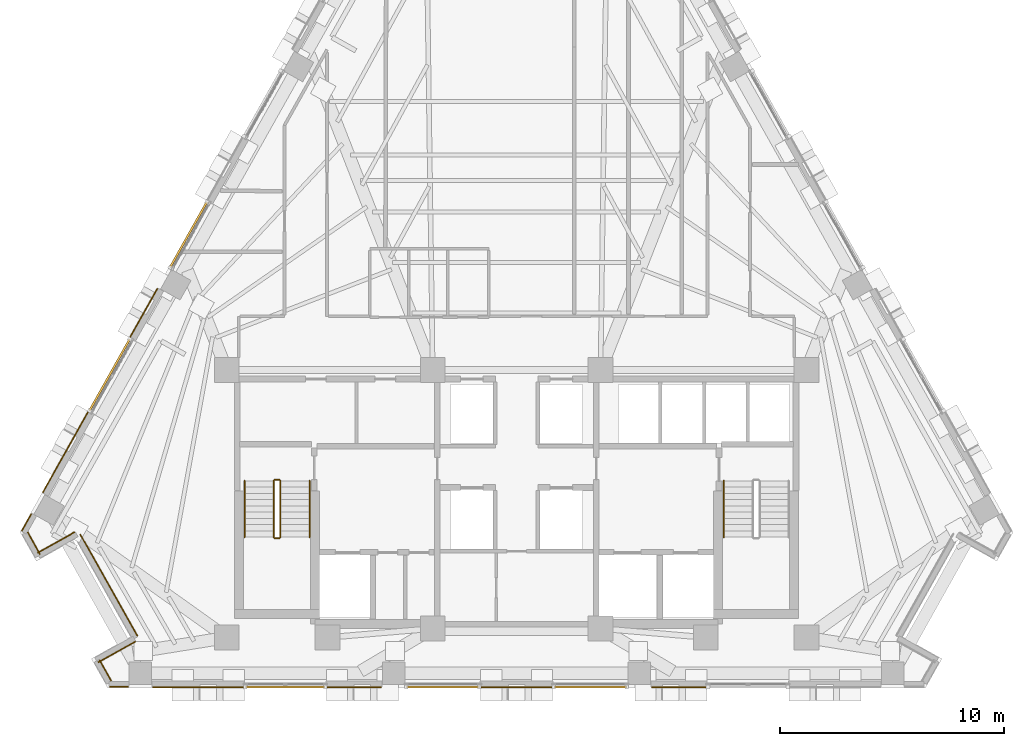
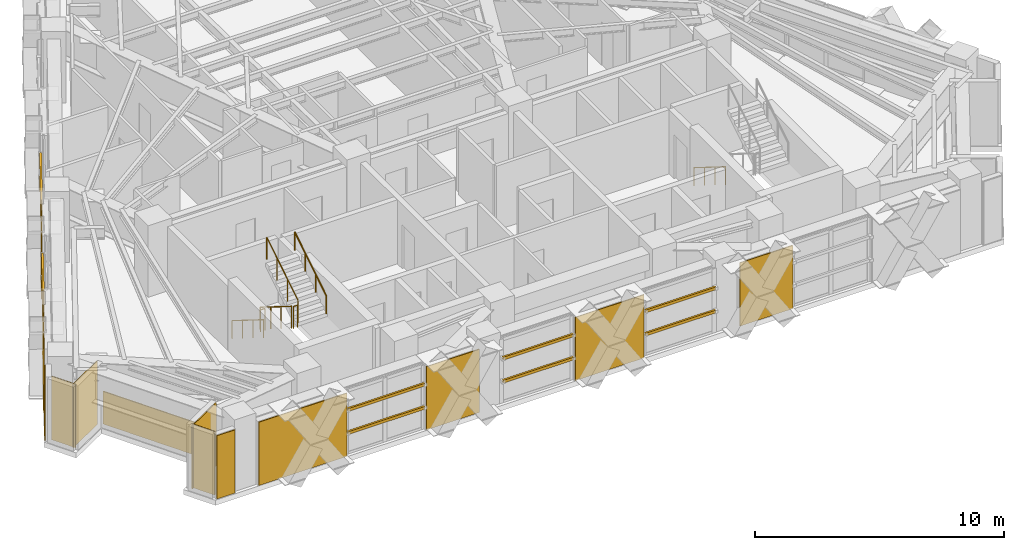
# One storey, part 10 of 13: 13 coverings, 10 shading devices, 7 railings.
"""IFC4 building model written with IfcOpenShell, lengths in metres."""

from ifc_helpers import new_model, si_unit, direction, frame, origin, origin_2d, place, context, subcontext, project, spatial, polyline, rectangle, circle, outline, extrude, material, layer, layer_set, material_profile, profile_set, type_object, element, save


model = new_model("IFC4")

# Units and contexts
model_context = context("Model", 3, precision=1e-05, world=origin(), true_north=direction((0.0, 1.0)))
body_context = subcontext(model_context, "Body", "Model", "MODEL_VIEW")
ifc_project = project(units=[si_unit("LENGTHUNIT", "METRE"), si_unit("AREAUNIT", "SQUARE_METRE"), si_unit("VOLUMEUNIT", "CUBIC_METRE"), si_unit("PLANEANGLEUNIT", "RADIAN"), si_unit("MASSUNIT", "GRAM", prefix="KILO")], contexts=[model_context])

# Site, building, storey
site_placement = place(None, origin())
site = spatial("IfcSite", under=ifc_project, at=site_placement, CompositionType="ELEMENT")
building_placement = place(site_placement, origin())
building = spatial("IfcBuilding", under=site, at=building_placement, Name="Quenlor Broadcast Tower", CompositionType="ELEMENT")
storey_placement = place(building_placement, frame((0.0, 0.0, 175.5)))
storey = spatial("IfcBuildingStorey", under=building, at=storey_placement, Name="L48", CompositionType="ELEMENT", Elevation=175.5)

# Shading devices
ifc_material_1 = material(Name="Architectural Terracotta Ceramic", Category="masonry")
ifc_material_profile = material_profile(ifc_material_1, rectangle(XDim=0.090087890625, YDim=0.139892578125, at=origin_2d()))
ifc_profile_set = profile_set([ifc_material_profile], Name="Architectural Terracotta Ceramic BAG90x140")
shading_device_type = type_object("IfcShadingDeviceType", Name="Copper Terracotta Baguette Solar Screen 140", PredefinedType="USERDEFINED", material=ifc_profile_set)
for number, where, z_axis, x_axis, name in (
    (1, (-8.550048828125, -18.952880859375, 1.13037109375), (-1.0, 0.0, 0.0), (0.0, -1.0, 0.0), "L48 Terracotta Baguette Screen 1"),
    (2, (-8.550048828125, -18.952880859375, 2.2607421875), (-1.0, 0.0, 0.0), (0.0, -1.0, 0.0), "L48 Terracotta Baguette Screen 2"),
):
    element("IfcShadingDevice", number, at=place(storey_placement, frame(where, z_axis=z_axis, x_axis=x_axis)), inside=storey, type_object=shading_device_type, Name=name, ObjectType="BAGUETTE", PredefinedType="USERDEFINED", context=body_context, shape_type="SweptSolid", body=[
        extrude(rectangle(XDim=0.090087890625, YDim=0.139892578125, at=origin_2d()), origin(), (0.0, 0.0, 1.0), 3.56396484375),
    ])
for number, where, z_axis, x_axis, name in (
    (3, (4.926025390625, -18.952880859375, 1.13037109375), (-1.0, 0.0, 0.0), (0.0, -1.0, 0.0), "L48 Terracotta Baguette Screen 1"),
    (4, (4.926025390625, -18.952880859375, 2.2607421875), (-1.0, 0.0, 0.0), (0.0, -1.0, 0.0), "L48 Terracotta Baguette Screen 2"),
    (5, (-1.662109375, -18.952880859375, 1.13037109375), (-1.0, 0.0, 0.0), (0.0, -1.0, 0.0), "L48 Terracotta Baguette Screen 1"),
    (6, (-1.662109375, -18.952880859375, 2.2607421875), (-1.0, 0.0, 0.0), (0.0, -1.0, 0.0), "L48 Terracotta Baguette Screen 2"),
):
    element("IfcShadingDevice", number, at=place(storey_placement, frame(where, z_axis=z_axis, x_axis=x_axis)), inside=storey, type_object=shading_device_type, Name=name, ObjectType="BAGUETTE", PredefinedType="USERDEFINED", context=body_context, shape_type="SweptSolid", body=[
        extrude(rectangle(XDim=0.090087890625, YDim=0.139892578125, at=origin_2d()), origin(), (0.0, 0.0, 1.0), 3.263916015625),
    ])
for number, where, z_axis, x_axis, name in (
    (7, (-19.079345703125, -6.61474609375, 1.13037109375), (0.490258076222, 0.871577316535, 0.0), (-0.871577316535, 0.490258076222, 0.0), "L48 Terracotta Baguette Screen 1"),
    (8, (-19.079345703125, -6.61474609375, 2.2607421875), (0.490258076222, 0.871577316535, 0.0), (-0.871577316535, 0.490258076222, 0.0), "L48 Terracotta Baguette Screen 2"),
):
    element("IfcShadingDevice", number, at=place(storey_placement, frame(where, z_axis=z_axis, x_axis=x_axis)), inside=storey, type_object=shading_device_type, Name=name, ObjectType="BAGUETTE", PredefinedType="USERDEFINED", context=body_context, shape_type="SweptSolid", body=[
        extrude(rectangle(XDim=0.090087890625, YDim=0.139892578125, at=origin_2d()), origin(), (0.0, 0.0, 1.0), 3.6640625),
    ])
for number, where, z_axis, x_axis, name in (
    (9, (-15.4775390625, -0.211181640625, 1.13037109375), (0.490288918116, 0.871559967399, 0.0), (-0.871559967399, 0.490288918116, 0.0), "L48 Terracotta Baguette Screen 1"),
    (10, (-15.4775390625, -0.211181640625, 2.2607421875), (0.490288918116, 0.871559967399, 0.0), (-0.871559967399, 0.490288918116, 0.0), "L48 Terracotta Baguette Screen 2"),
):
    element("IfcShadingDevice", number, at=place(storey_placement, frame(where, z_axis=z_axis, x_axis=x_axis)), inside=storey, type_object=shading_device_type, Name=name, ObjectType="BAGUETTE", PredefinedType="USERDEFINED", context=body_context, shape_type="SweptSolid", body=[
        extrude(rectangle(XDim=0.090087890625, YDim=0.139892578125, at=origin_2d()), origin(), (0.0, 0.0, 1.0), 3.350341796875),
    ])

# Coverings
ifc_material_2 = material(Name="Architectural Terracotta Ceramic", Category="masonry")
ifc_layer = layer(ifc_material_2, 0.044921875)
ifc_layer_set = layer_set([ifc_layer], Name="Fluted Terracotta Rainscreen Cladding Panel")
covering_type = type_object("IfcCoveringType", Name="Fluted Terracotta Rainscreen Cladding Panel", PredefinedType="CLADDING", material=ifc_layer_set)
covering_1_placement = place(storey_placement, frame((0.0, 0.0, 0.02001953125)))
element("IfcCovering", 11, at=covering_1_placement, inside=storey, type_object=covering_type, Name="L48 Terracotta Rainscreen Cladding L48-SHD-SS1", PredefinedType="CLADDING", context=body_context, shape_type="SweptSolid", body=[
    extrude(outline(polyline([(-17.343505859375, -18.93701171875), (-18.179931640625, -18.93701171875), (-18.179931640625, -18.98193359375), (-17.343505859375, -18.98193359375), (-17.343505859375, -18.93701171875)])), origin(), (0.0, 0.0, 1.0), 3.10009765625),
])
covering_2_placement = place(storey_placement, frame((0.0, 0.0, 0.02001953125)))
element("IfcCovering", 12, at=covering_2_placement, inside=storey, type_object=covering_type, Name="L48 Terracotta Rainscreen Cladding L48-SA-SP2", PredefinedType="CLADDING", context=body_context, shape_type="SweptSolid", body=[
    extrude(outline(polyline([(8.485107421875, -18.95703125), (6.035888671875, -18.95703125), (6.035888671875, -19.001953125), (8.485107421875, -19.001953125), (8.485107421875, -18.95703125)])), origin(), (0.0, 0.0, 1.0), 3.10009765625),
])
covering_3_placement = place(storey_placement, frame((0.0, 0.0, 0.02001953125)))
element("IfcCovering", 13, at=covering_3_placement, inside=storey, type_object=covering_type, Name="L48 Terracotta Rainscreen Cladding L48-SC-SP1", PredefinedType="CLADDING", context=body_context, shape_type="SweptSolid", body=[
    extrude(outline(polyline([(-6.035888671875, -18.95703125), (-8.485107421875, -18.95703125), (-8.485107421875, -19.001953125), (-6.035888671875, -19.001953125), (-6.035888671875, -18.95703125)])), origin(), (0.0, 0.0, 1.0), 3.10009765625),
])
covering_4_placement = place(storey_placement, frame((0.0, 0.0, 0.02001953125)))
element("IfcCovering", 14, at=covering_4_placement, inside=storey, type_object=covering_type, Name="L48 Terracotta Rainscreen Cladding L48-SC-SP2", PredefinedType="CLADDING", context=body_context, shape_type="SweptSolid", body=[
    extrude(outline(polyline([(-12.178955078125, -18.95703125), (-16.25341796875, -18.95703125), (-16.25341796875, -19.001953125), (-12.178955078125, -19.001953125), (-12.178955078125, -18.95703125)])), origin(), (0.0, 0.0, 1.0), 3.10009765625),
])
covering_5_placement = place(storey_placement, frame((0.0, 0.0, 0.02001953125)))
element("IfcCovering", 15, at=covering_5_placement, inside=storey, type_object=covering_type, Name="L48 Terracotta Rainscreen Cladding L48-S-SP1", PredefinedType="CLADDING", context=body_context, shape_type="SweptSolid", body=[
    extrude(outline(polyline([(1.596923828125, -18.95703125), (-1.596923828125, -18.95703125), (-1.596923828125, -19.001953125), (1.596923828125, -19.001953125), (1.596923828125, -18.95703125)])), origin(), (0.0, 0.0, 1.0), 3.10009765625),
])
covering_6_placement = place(storey_placement, frame((0.0, 0.0, 0.02001953125)))
element("IfcCovering", 16, at=covering_6_placement, inside=storey, type_object=covering_type, Name="L48 Terracotta Rainscreen Cladding L48-SHD-NWS0", PredefinedType="CLADDING", context=body_context, shape_type="SweptSolid", body=[
    extrude(outline(polyline([(-22.0859375, -11.992431640625), (-21.66162109375, -11.23779296875), (-21.70068359375, -11.2158203125), (-22.125244140625, -11.970458984375), (-22.0859375, -11.992431640625)])), origin(), (0.0, 0.0, 1.0), 3.10009765625),
])
covering_7_placement = place(storey_placement, frame((0.0, 0.0, 0.02001953125)))
element("IfcCovering", 17, at=covering_7_placement, inside=storey, type_object=covering_type, Name="L48 Terracotta Rainscreen Cladding L48-NWA-SP1", PredefinedType="CLADDING", context=body_context, shape_type="SweptSolid", body=[
    extrude(outline(polyline([(-21.14453125, -10.278076171875), (-19.11474609375, -6.66943359375), (-19.154052734375, -6.6474609375), (-21.183837890625, -10.256103515625), (-21.14453125, -10.278076171875)])), origin(), (0.0, 0.0, 1.0), 3.10009765625),
])
covering_8_placement = place(storey_placement, frame((0.0, 0.0, 0.02001953125)))
element("IfcCovering", 18, at=covering_8_placement, inside=storey, type_object=covering_type, Name="L48 Terracotta Rainscreen Cladding L48-NWA-SP2", PredefinedType="CLADDING", context=body_context, shape_type="SweptSolid", body=[
    extrude(outline(polyline([(-17.254638671875, -3.362548828125), (-16.025146484375, -1.1767578125), (-16.064453125, -1.15478515625), (-17.2939453125, -3.340576171875), (-17.254638671875, -3.362548828125)])), origin(), (0.0, 0.0, 1.0), 3.10009765625),
])
covering_9_placement = place(storey_placement, frame((0.0, 0.0, 0.02001953125)))
element("IfcCovering", 19, at=covering_9_placement, inside=storey, type_object=covering_type, Name="L48 Terracotta Rainscreen Cladding L48-CNR-12", PredefinedType="CLADDING", context=body_context, shape_type="SweptSolid", body=[
    extrude(outline(polyline([(-21.864501953125, -12.0546875), (-21.309326171875, -13.0419921875), (-21.27001953125, -13.02001953125), (-21.825439453125, -12.03271484375), (-21.864501953125, -12.0546875)])), origin(), (0.0, 0.0, 1.0), 3.10009765625),
])
covering_10_placement = place(storey_placement, frame((0.0, 0.0, 0.02001953125)))
element("IfcCovering", 20, at=covering_10_placement, inside=storey, type_object=covering_type, Name="L48 Terracotta Rainscreen Cladding L48-CNR-13", PredefinedType="CLADDING", context=body_context, shape_type="SweptSolid", body=[
    extrude(outline(polyline([(-21.385986328125, -12.9912109375), (-19.72998046875, -12.059814453125), (-19.752197265625, -12.0205078125), (-21.408203125, -12.9521484375), (-21.385986328125, -12.9912109375)])), origin(), (0.0, 0.0, 1.0), 3.10009765625),
])
covering_11_placement = place(storey_placement, frame((0.0, 0.0, 0.02001953125)))
element("IfcCovering", 21, at=covering_11_placement, inside=storey, type_object=covering_type, Name="L48 Terracotta Rainscreen Cladding L48-CNR-14", PredefinedType="CLADDING", context=body_context, shape_type="SweptSolid", body=[
    extrude(outline(polyline([(-19.51708984375, -12.148681640625), (-16.9580078125, -16.6982421875), (-16.918701171875, -16.67626953125), (-19.477783203125, -12.126708984375), (-19.51708984375, -12.148681640625)])), origin(), (0.0, 0.0, 1.0), 1.60009765625),
])
covering_12_placement = place(storey_placement, frame((0.0, 0.0, 0.02001953125)))
element("IfcCovering", 22, at=covering_12_placement, inside=storey, type_object=covering_type, Name="L48 Terracotta Rainscreen Cladding L48-CNR-15", PredefinedType="CLADDING", context=body_context, shape_type="SweptSolid", body=[
    extrude(outline(polyline([(-17.046875, -16.911376953125), (-18.702880859375, -17.8427734375), (-18.680908203125, -17.882080078125), (-17.02490234375, -16.950439453125), (-17.046875, -16.911376953125)])), origin(), (0.0, 0.0, 1.0), 3.10009765625),
])
covering_13_placement = place(storey_placement, frame((0.0, 0.0, 0.02001953125)))
element("IfcCovering", 23, at=covering_13_placement, inside=storey, type_object=covering_type, Name="L48 Terracotta Rainscreen Cladding L48-CNR-16", PredefinedType="CLADDING", context=body_context, shape_type="SweptSolid", body=[
    extrude(outline(polyline([(-18.652099609375, -17.76611328125), (-18.127685546875, -18.697998046875), (-18.088623046875, -18.67578125), (-18.61279296875, -17.743896484375), (-18.652099609375, -17.76611328125)])), origin(), (0.0, 0.0, 1.0), 3.10009765625),
])

# Railings
ifc_material_3 = material(Name="Anodised Aluminium", Category="aluminium")
railing_type_1 = type_object("IfcRailingType", Name="Stainless Aluminium Wall Handrail 900", PredefinedType="HANDRAIL", material=ifc_material_3)
railing_1_placement = place(storey_placement, frame((-12.14990234375, -9.75, 0.175048828125)))
element("IfcRailing", 24, at=railing_1_placement, inside=storey, type_object=railing_type_1, Name="L48 ST-1 stair handrail 1", PredefinedType="HANDRAIL", context=body_context, shape_type="SweptSolid", body=[
    extrude(circle(Radius=0.02392578125, at=origin_2d()), frame((0.0, 0.0, 0.8759765625), z_axis=(0.0, -0.848007534815, 0.529984170421), x_axis=(1.0, 0.0, 0.0)), (0.0, 0.0, 1.0), 2.9716796875),
    extrude(circle(Radius=0.02099609375, at=origin_2d()), origin(), (0.0, 0.0, 1.0), 0.851806640625),
    extrude(circle(Radius=0.02099609375, at=origin_2d()), frame((0.0, -0.840087890625, 0.52490234375)), (0.0, 0.0, 1.0), 0.851806640625),
    extrude(circle(Radius=0.02099609375, at=origin_2d()), frame((0.0, -1.679931640625, 1.050048828125)), (0.0, 0.0, 1.0), 0.851806640625),
    extrude(circle(Radius=0.02099609375, at=origin_2d()), frame((0.0, -2.52001953125, 1.574951171875)), (0.0, 0.0, 1.0), 0.851806640625),
])
railing_2_placement = place(storey_placement, frame((-9.25, -12.27001953125, 1.925048828125)))
element("IfcRailing", 25, at=railing_2_placement, inside=storey, type_object=railing_type_1, Name="L48 ST-1 stair handrail 2", PredefinedType="HANDRAIL", context=body_context, shape_type="SweptSolid", body=[
    extrude(circle(Radius=0.02392578125, at=origin_2d()), frame((0.0, 0.0, 0.8759765625), z_axis=(0.0, 0.848007534815, 0.529984170421), x_axis=(-1.0, 0.0, 0.0)), (0.0, 0.0, 1.0), 2.9716796875),
    extrude(circle(Radius=0.02099609375, at=origin_2d()), origin(), (0.0, 0.0, 1.0), 0.851806640625),
    extrude(circle(Radius=0.02099609375, at=origin_2d()), frame((0.0, 0.840087890625, 0.52490234375)), (0.0, 0.0, 1.0), 0.851806640625),
    extrude(circle(Radius=0.02099609375, at=origin_2d()), frame((0.0, 1.679931640625, 1.050048828125)), (0.0, 0.0, 1.0), 0.851806640625),
    extrude(circle(Radius=0.02099609375, at=origin_2d()), frame((0.0, 2.52001953125, 1.574951171875)), (0.0, 0.0, 1.0), 0.851806640625),
])
railing_3_placement = place(storey_placement, frame((9.25, -9.75, 0.175048828125)))
element("IfcRailing", 26, at=railing_3_placement, inside=storey, type_object=railing_type_1, Name="L48 ST-2 stair handrail 1", PredefinedType="HANDRAIL", context=body_context, shape_type="SweptSolid", body=[
    extrude(circle(Radius=0.02392578125, at=origin_2d()), frame((0.0, 0.0, 0.8759765625), z_axis=(0.0, -0.848007534815, 0.529984170421), x_axis=(1.0, 0.0, 0.0)), (0.0, 0.0, 1.0), 2.9716796875),
    extrude(circle(Radius=0.02099609375, at=origin_2d()), origin(), (0.0, 0.0, 1.0), 0.851806640625),
    extrude(circle(Radius=0.02099609375, at=origin_2d()), frame((0.0, -0.840087890625, 0.52490234375)), (0.0, 0.0, 1.0), 0.851806640625),
    extrude(circle(Radius=0.02099609375, at=origin_2d()), frame((0.0, -1.679931640625, 1.050048828125)), (0.0, 0.0, 1.0), 0.851806640625),
    extrude(circle(Radius=0.02099609375, at=origin_2d()), frame((0.0, -2.52001953125, 1.574951171875)), (0.0, 0.0, 1.0), 0.851806640625),
])
ifc_material_4 = material(Name="Steel S355", Category="steel")
railing_type_2 = type_object("IfcRailingType", Name="Tubular Steel S355 Stair Guardrail 1100", PredefinedType="BALUSTRADE", material=ifc_material_4)
railing_4_placement = place(storey_placement, frame((-10.85009765625, -9.75, 0.175048828125)))
element("IfcRailing", 27, at=railing_4_placement, inside=storey, type_object=railing_type_2, Name="L48 ST-1 stair guard 1", PredefinedType="BALUSTRADE", context=body_context, shape_type="SweptSolid", body=[
    extrude(circle(Radius=0.02392578125, at=origin_2d()), frame((0.0, 0.0, 1.076171875), z_axis=(0.0, -0.848007534815, 0.529984170421), x_axis=(1.0, 0.0, 0.0)), (0.0, 0.0, 1.0), 2.9716796875),
    extrude(circle(Radius=0.02099609375, at=origin_2d()), origin(), (0.0, 0.0, 1.0), 1.052001953125),
    extrude(circle(Radius=0.02099609375, at=origin_2d()), frame((0.0, -0.840087890625, 0.52490234375)), (0.0, 0.0, 1.0), 1.052001953125),
    extrude(circle(Radius=0.02099609375, at=origin_2d()), frame((0.0, -1.679931640625, 1.050048828125)), (0.0, 0.0, 1.0), 1.052001953125),
    extrude(circle(Radius=0.02099609375, at=origin_2d()), frame((0.0, -2.52001953125, 1.574951171875)), (0.0, 0.0, 1.0), 1.052001953125),
])
railing_5_placement = place(storey_placement, frame((-10.800048828125, -12.320068359375, 1.75)))
element("IfcRailing", 28, at=railing_5_placement, inside=storey, type_object=railing_type_2, Name="L48 ST-1 stair guard 2", PredefinedType="BALUSTRADE", context=body_context, shape_type="SweptSolid", body=[
    extrude(circle(Radius=0.02392578125, at=origin_2d()), frame((0.0, 0.0, 1.076171875), z_axis=(1.0, 0.0, 0.0), x_axis=(0.0, 1.0, 0.0)), (0.0, 0.0, 1.0), 0.199951171875),
    extrude(circle(Radius=0.02099609375, at=origin_2d()), origin(), (0.0, 0.0, 1.0), 1.052001953125),
    extrude(circle(Radius=0.02099609375, at=origin_2d()), frame((0.199951171875, 0.0, 0.0)), (0.0, 0.0, 1.0), 1.052001953125),
])
railing_6_placement = place(storey_placement, frame((-10.550048828125, -12.27001953125, 1.925048828125)))
element("IfcRailing", 29, at=railing_6_placement, inside=storey, type_object=railing_type_2, Name="L48 ST-1 stair guard 3", PredefinedType="BALUSTRADE", context=body_context, shape_type="SweptSolid", body=[
    extrude(circle(Radius=0.02392578125, at=origin_2d()), frame((0.0, 0.0, 1.076171875), z_axis=(0.0, 0.848007534815, 0.529984170421), x_axis=(-1.0, 0.0, 0.0)), (0.0, 0.0, 1.0), 2.9716796875),
    extrude(circle(Radius=0.02099609375, at=origin_2d()), origin(), (0.0, 0.0, 1.0), 1.052001953125),
    extrude(circle(Radius=0.02099609375, at=origin_2d()), frame((0.0, 0.840087890625, 0.52490234375)), (0.0, 0.0, 1.0), 1.052001953125),
    extrude(circle(Radius=0.02099609375, at=origin_2d()), frame((0.0, 1.679931640625, 1.050048828125)), (0.0, 0.0, 1.0), 1.052001953125),
    extrude(circle(Radius=0.02099609375, at=origin_2d()), frame((0.0, 2.52001953125, 1.574951171875)), (0.0, 0.0, 1.0), 1.052001953125),
])
railing_7_placement = place(storey_placement, frame((-10.800048828125, -9.699951171875, 0.0)))
element("IfcRailing", 30, at=railing_7_placement, inside=storey, type_object=railing_type_2, Name="L48 ST-1 stair guard 4", PredefinedType="BALUSTRADE", context=body_context, shape_type="SweptSolid", body=[
    extrude(circle(Radius=0.02392578125, at=origin_2d()), frame((0.0, 0.0, 1.076171875), z_axis=(1.0, 0.0, 0.0), x_axis=(0.0, 1.0, 0.0)), (0.0, 0.0, 1.0), 0.199951171875),
    extrude(circle(Radius=0.02099609375, at=origin_2d()), origin(), (0.0, 0.0, 1.0), 1.052001953125),
    extrude(circle(Radius=0.02099609375, at=origin_2d()), frame((0.199951171875, 0.0, 0.0)), (0.0, 0.0, 1.0), 1.052001953125),
])

save(model, "model.ifc")
